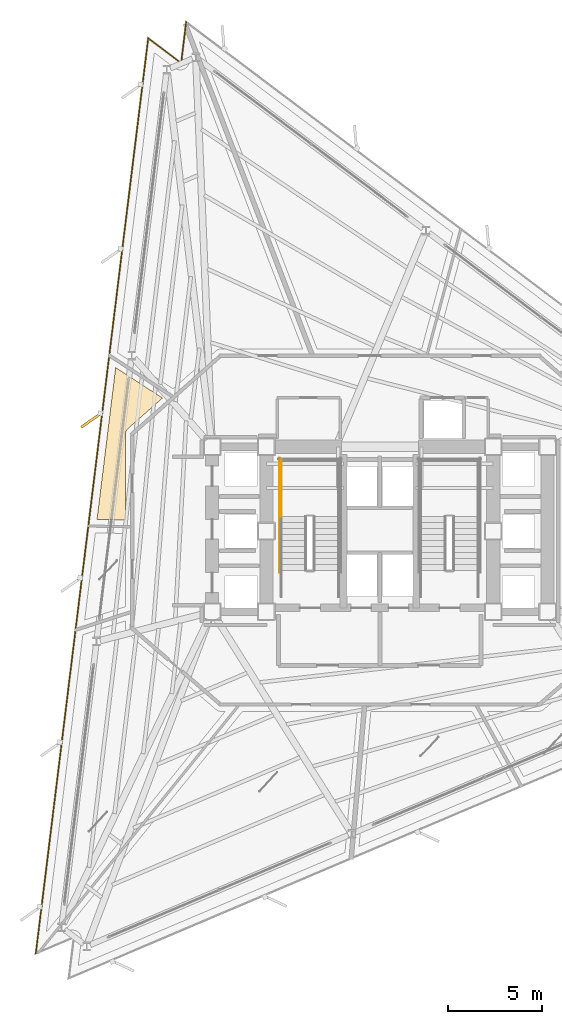
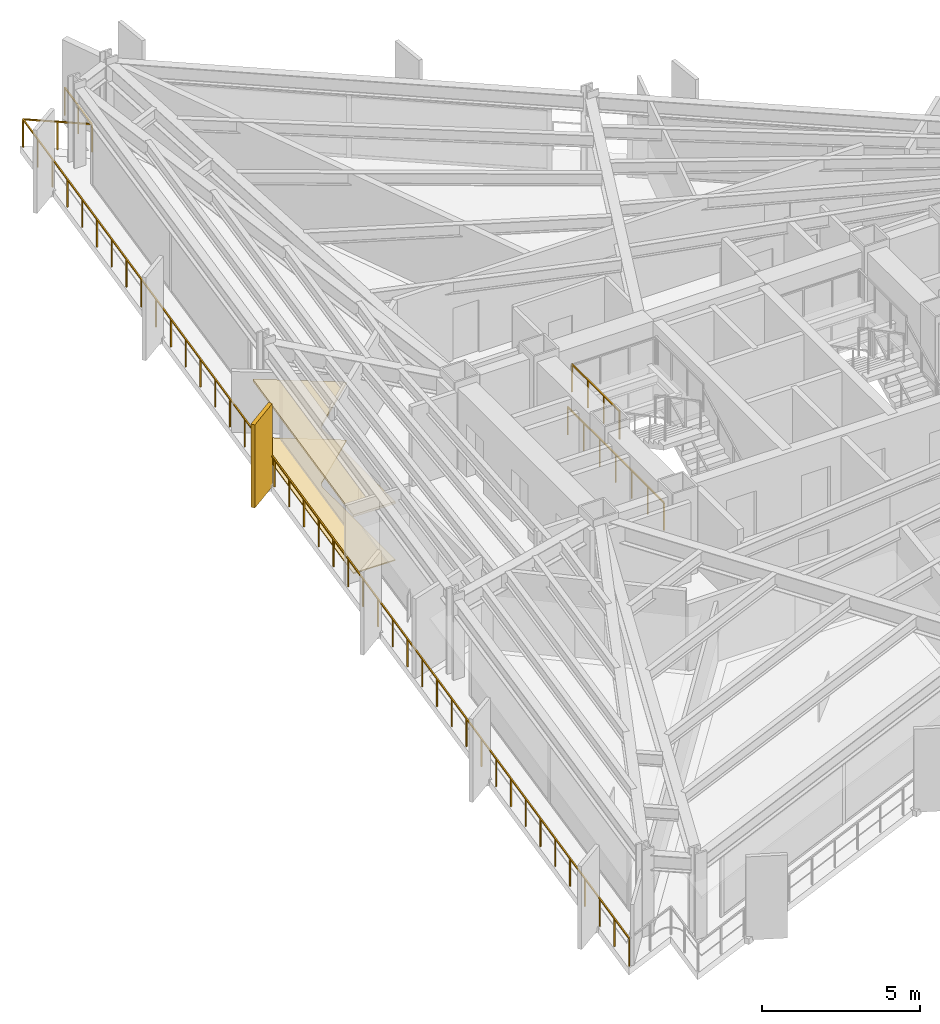
# One storey, part 11 of 13: 3 railings, 2 coverings, 1 shading device.
"""IFC4 building model written with IfcOpenShell, lengths in metres."""

from ifc_helpers import new_model, si_unit, direction, frame, origin, origin_2d, place, context, subcontext, project, spatial, polyline, rectangle, outline, extrude, material, layer, layer_set, type_object, element, save


model = new_model("IFC4")

# Units and contexts
model_context = context("Model", 3, precision=1e-05, world=origin(), true_north=direction((0.0, 1.0)))
body_context = subcontext(model_context, "Body", "Model", "MODEL_VIEW")
ifc_project = project(units=[si_unit("LENGTHUNIT", "METRE"), si_unit("AREAUNIT", "SQUARE_METRE"), si_unit("VOLUMEUNIT", "CUBIC_METRE"), si_unit("PLANEANGLEUNIT", "RADIAN"), si_unit("MASSUNIT", "GRAM", prefix="KILO")], contexts=[model_context])

# Site, building, storey
site_placement = place(None, origin())
site = spatial("IfcSite", under=ifc_project, at=site_placement, CompositionType="ELEMENT")
building_placement = place(site_placement, origin())
building = spatial("IfcBuilding", under=site, at=building_placement, Name="Rocaltana Carrier Exchange", CompositionType="ELEMENT")
storey_placement = place(building_placement, frame((0.0, 0.0, 66.39990234375)))
storey = spatial("IfcBuildingStorey", under=building, at=storey_placement, Name="L20", CompositionType="ELEMENT", Elevation=66.39990234375)

# Coverings
ifc_material_1 = material(Name="Honed Bogota Sandstone Tile", Category="masonry")
ifc_layer_1 = layer(ifc_material_1, 0.0400390625)
ifc_layer_set_1 = layer_set([ifc_layer_1], Name="Honed Bogota Sandstone Tile")
covering_type_1 = type_object("IfcCoveringType", Name="Honed Stone Lobby Flooring 40", PredefinedType="FLOORING", material=ifc_layer_set_1)
covering_1_placement = place(storey_placement, origin())
element("IfcCovering", 1, at=covering_1_placement, inside=storey, type_object=covering_type_1, Name="L20 Client Reception Foyer Finish Floor", PredefinedType="FLOORING", context=body_context, shape_type="SweptSolid", body=[
    extrude(outline(polyline([(-14.0927734375, 8.72265625), (-11.593017578125, 7.099365234375), (-13.438232421875, 5.469970703125), (-13.447998046875, 5.4609375), (-13.453369140625, 5.455810546875), (-13.471435546875, 5.436279296875), (-13.476318359375, 5.4306640625), (-13.492431640625, 5.409912109375), (-13.49658203125, 5.40380859375), (-13.5107421875, 5.38134765625), (-13.5146484375, 5.375), (-13.526611328125, 5.351318359375), (-13.529541015625, 5.344482421875), (-13.539306640625, 5.320068359375), (-13.541748046875, 5.31298828125), (-13.549072265625, 5.28759765625), (-13.55078125, 5.2802734375), (-13.555908203125, 5.25439453125), (-13.556884765625, 5.246826171875), (-13.559326171875, 5.220703125), (-13.559814453125, 5.213134765625), (-13.56005859375, 5.199951171875), (-13.56005859375, 0.5966796875), (-15.087158203125, 0.623291015625), (-14.0927734375, 8.72265625)])), origin(), (0.0, 0.0, 1.0), 0.0400390625),
])
ifc_material_2 = material(Name="Anodised Aluminium 6063-T6", Category="aluminium")
ifc_layer_2 = layer(ifc_material_2, 0.0849609375)
ifc_layer_set_2 = layer_set([ifc_layer_2], Name="Anodised Aluminium 6063-T6")
covering_type_2 = type_object("IfcCoveringType", Name="Linear Baffle Acoustic Ceiling 85", PredefinedType="CEILING", material=ifc_layer_set_2)
covering_2_placement = place(storey_placement, frame((0.0, 0.0, 2.203125)))
element("IfcCovering", 2, at=covering_2_placement, inside=storey, type_object=covering_type_2, Name="L20 Client Reception Foyer Acoustic Ceiling", PredefinedType="CEILING", context=body_context, shape_type="SweptSolid", body=[
    extrude(outline(polyline([(-14.0927734375, 8.72265625), (-11.593017578125, 7.099365234375), (-13.438232421875, 5.469970703125), (-13.447998046875, 5.4609375), (-13.453369140625, 5.455810546875), (-13.471435546875, 5.436279296875), (-13.476318359375, 5.4306640625), (-13.492431640625, 5.409912109375), (-13.49658203125, 5.40380859375), (-13.5107421875, 5.38134765625), (-13.5146484375, 5.375), (-13.526611328125, 5.351318359375), (-13.529541015625, 5.344482421875), (-13.539306640625, 5.320068359375), (-13.541748046875, 5.31298828125), (-13.549072265625, 5.28759765625), (-13.55078125, 5.2802734375), (-13.555908203125, 5.25439453125), (-13.556884765625, 5.246826171875), (-13.559326171875, 5.220703125), (-13.559814453125, 5.213134765625), (-13.56005859375, 5.199951171875), (-13.56005859375, 0.5966796875), (-15.087158203125, 0.623291015625), (-14.0927734375, 8.72265625)])), origin(), (0.0, 0.0, 1.0), 0.0849609375),
])

# Railings
ifc_material_3 = material(Name="Powder-Coated Aluminium 6063-T6", Category="aluminium")
ifc_layer_3 = layer(ifc_material_3, 0.048095703125)
ifc_layer_set_3 = layer_set([ifc_layer_3], Name="Powder-Coated Aluminium 6063-T6")
railing_type_1 = type_object("IfcRailingType", Name="Stair Well Guardrail 1100", PredefinedType="GUARDRAIL", material=ifc_layer_set_3)
railing_1_placement = place(storey_placement, frame((-5.25, 0.780029296875, 1.68017578125)))
element("IfcRailing", 3, at=railing_1_placement, inside=storey, type_object=railing_type_1, Name="L20 ST-1 stair guard 4", PredefinedType="GUARDRAIL", context=body_context, shape_type="SweptSolid", body=[
    extrude(rectangle(XDim=0.048095703125, YDim=0.048095703125, at=origin_2d()), frame((0.0, 0.0, 1.076171875), z_axis=(0.0, 1.0, 0.0), x_axis=(-1.0, 0.0, 0.0)), (0.0, 0.0, 1.0), 3.02001953125),
    extrude(rectangle(XDim=0.0419921875, YDim=0.0419921875, at=origin_2d()), origin(), (0.0, 0.0, 1.0), 1.052001953125),
    extrude(rectangle(XDim=0.0419921875, YDim=0.0419921875, at=origin_2d()), frame((0.0, 1.006591796875, 0.0)), (0.0, 0.0, 1.0), 1.052001953125),
    extrude(rectangle(XDim=0.0419921875, YDim=0.0419921875, at=origin_2d()), frame((0.0, 2.013427734375, 0.0)), (0.0, 0.0, 1.0), 1.052001953125),
    extrude(rectangle(XDim=0.0419921875, YDim=0.0419921875, at=origin_2d()), frame((0.0, 3.02001953125, 0.0)), (0.0, 0.0, 1.0), 1.052001953125),
])
railing_2_placement = place(storey_placement, frame((-5.35009765625, -2.199951171875, 0.0)))
element("IfcRailing", 4, at=railing_2_placement, inside=storey, type_object=railing_type_1, Name="L20 ST-1 stair guard 11", PredefinedType="GUARDRAIL", context=body_context, shape_type="SweptSolid", body=[
    extrude(rectangle(XDim=0.048095703125, YDim=0.048095703125, at=origin_2d()), frame((0.0, 0.0, 1.076171875), z_axis=(0.0, 1.0, 0.0), x_axis=(-1.0, 0.0, 0.0)), (0.0, 0.0, 1.0), 6.099853515625),
    extrude(rectangle(XDim=0.0419921875, YDim=0.0419921875, at=origin_2d()), origin(), (0.0, 0.0, 1.0), 1.052001953125),
    extrude(rectangle(XDim=0.0419921875, YDim=0.0419921875, at=origin_2d()), frame((0.0, 1.0166015625, 0.0)), (0.0, 0.0, 1.0), 1.052001953125),
    extrude(rectangle(XDim=0.0419921875, YDim=0.0419921875, at=origin_2d()), frame((0.0, 2.033203125, 0.0)), (0.0, 0.0, 1.0), 1.052001953125),
    extrude(rectangle(XDim=0.0419921875, YDim=0.0419921875, at=origin_2d()), frame((0.0, 3.0498046875, 0.0)), (0.0, 0.0, 1.0), 1.052001953125),
    extrude(rectangle(XDim=0.0419921875, YDim=0.0419921875, at=origin_2d()), frame((0.0, 4.066650390625, 0.0)), (0.0, 0.0, 1.0), 1.052001953125),
    extrude(rectangle(XDim=0.0419921875, YDim=0.0419921875, at=origin_2d()), frame((0.0, 5.083251953125, 0.0)), (0.0, 0.0, 1.0), 1.052001953125),
    extrude(rectangle(XDim=0.0419921875, YDim=0.0419921875, at=origin_2d()), frame((0.0, 6.099853515625, 0.0)), (0.0, 0.0, 1.0), 1.052001953125),
])

# Shading device
ifc_material_4 = material(Name="Honed Bogota Sandstone & Concrete C45/55", Category="masonry")
ifc_layer_4 = layer(ifc_material_4, 0.139892578125)
ifc_layer_set_4 = layer_set([ifc_layer_4], Name="Honed Bogota Sandstone & Concrete C45/55")
shading_device_type = type_object("IfcShadingDeviceType", Name="Vertical Sandstone Shading Fin 1320x140", PredefinedType="USERDEFINED", material=ifc_layer_set_4)
shading_device_placement = place(storey_placement, frame((-15.38427734375, 5.92431640625, -0.1201171875), z_axis=(0.0, 0.0, 1.0), x_axis=(-0.819152044289, -0.573576436351, 0.0)))
element("IfcShadingDevice", 5, at=shading_device_placement, inside=storey, type_object=shading_device_type, Name="L20 Sandstone Vertical Fin F2-03", ObjectType="FIN", PredefinedType="USERDEFINED", context=body_context, shape_type="SweptSolid", body=[
    extrude(rectangle(XDim=1.320068359375, YDim=0.139892578125, at=origin_2d()), origin(), (0.0, 0.0, 1.0), 3.218017578125),
])

# Railing
ifc_material_5 = material(Name="Powder-Coated Aluminium 6063-T6", Category="aluminium")
ifc_layer_5 = layer(ifc_material_5, 0.06005859375)
ifc_layer_set_5 = layer_set([ifc_layer_5], Name="Powder-Coated Aluminium 6063-T6")
railing_type_2 = type_object("IfcRailingType", Name="Wind-Floor & Terrace Perimeter Guardrail 1100", PredefinedType="GUARDRAIL", material=ifc_layer_set_5)
railing_3_placement = place(storey_placement, frame((-18.352783203125, -22.52734375, 0.0)))
element("IfcRailing", 6, at=railing_3_placement, inside=storey, type_object=railing_type_2, Name="L20 Perimeter Balcony Guardrail 2", PredefinedType="GUARDRAIL", context=body_context, shape_type="SweptSolid", body=[
    extrude(rectangle(XDim=0.048095703125, YDim=0.048095703125, at=origin_2d()), frame((0.0, 0.0, 1.076171875), z_axis=(0.12186659782, 0.992546488753, 0.0), x_axis=(-0.992546488753, 0.12186659782, 0.0)), (0.0, 0.0, 1.0), 49.192138671875),
    extrude(rectangle(XDim=0.048095703125, YDim=0.048095703125, at=origin_2d()), frame((5.994873046875, 48.825439453125, 1.076171875), z_axis=(0.798653030423, -0.601791772125, 0.0), x_axis=(0.601791772125, 0.798653030423, 0.0)), (0.0, 0.0, 1.0), 2.199951171875),
    extrude(rectangle(XDim=0.048095703125, YDim=0.048095703125, at=origin_2d()), frame((7.751953125, 47.50146484375, 1.076171875), z_axis=(0.121849105842, 0.992548636292, 0.0), x_axis=(-0.992548636292, 0.121849105842, 0.0)), (0.0, 0.0, 1.0), 2.199951171875),
    extrude(rectangle(XDim=0.0419921875, YDim=0.0419921875, at=origin_2d()), origin(), (0.0, 0.0, 1.0), 1.052001953125),
    extrude(rectangle(XDim=0.0419921875, YDim=0.0419921875, at=origin_2d()), frame((0.146240234375, 1.19091796875, 0.0)), (0.0, 0.0, 1.0), 1.052001953125),
    extrude(rectangle(XDim=0.0419921875, YDim=0.0419921875, at=origin_2d()), frame((0.29248046875, 2.3818359375, 0.0)), (0.0, 0.0, 1.0), 1.052001953125),
    extrude(rectangle(XDim=0.0419921875, YDim=0.0419921875, at=origin_2d()), frame((0.438720703125, 3.572509765625, 0.0)), (0.0, 0.0, 1.0), 1.052001953125),
    extrude(rectangle(XDim=0.0419921875, YDim=0.0419921875, at=origin_2d()), frame((0.5849609375, 4.763427734375, 0.0)), (0.0, 0.0, 1.0), 1.052001953125),
    extrude(rectangle(XDim=0.0419921875, YDim=0.0419921875, at=origin_2d()), frame((0.731201171875, 5.954345703125, 0.0)), (0.0, 0.0, 1.0), 1.052001953125),
    extrude(rectangle(XDim=0.0419921875, YDim=0.0419921875, at=origin_2d()), frame((0.877197265625, 7.145263671875, 0.0)), (0.0, 0.0, 1.0), 1.052001953125),
    extrude(rectangle(XDim=0.0419921875, YDim=0.0419921875, at=origin_2d()), frame((1.0234375, 8.3359375, 0.0)), (0.0, 0.0, 1.0), 1.052001953125),
    extrude(rectangle(XDim=0.0419921875, YDim=0.0419921875, at=origin_2d()), frame((1.169677734375, 9.52685546875, 0.0)), (0.0, 0.0, 1.0), 1.052001953125),
    extrude(rectangle(XDim=0.0419921875, YDim=0.0419921875, at=origin_2d()), frame((1.31591796875, 10.7177734375, 0.0)), (0.0, 0.0, 1.0), 1.052001953125),
    extrude(rectangle(XDim=0.0419921875, YDim=0.0419921875, at=origin_2d()), frame((1.462158203125, 11.90869140625, 0.0)), (0.0, 0.0, 1.0), 1.052001953125),
    extrude(rectangle(XDim=0.0419921875, YDim=0.0419921875, at=origin_2d()), frame((1.6083984375, 13.099609375, 0.0)), (0.0, 0.0, 1.0), 1.052001953125),
    extrude(rectangle(XDim=0.0419921875, YDim=0.0419921875, at=origin_2d()), frame((1.754638671875, 14.290283203125, 0.0)), (0.0, 0.0, 1.0), 1.052001953125),
    extrude(rectangle(XDim=0.0419921875, YDim=0.0419921875, at=origin_2d()), frame((1.90087890625, 15.481201171875, 0.0)), (0.0, 0.0, 1.0), 1.052001953125),
    extrude(rectangle(XDim=0.0419921875, YDim=0.0419921875, at=origin_2d()), frame((2.047119140625, 16.672119140625, 0.0)), (0.0, 0.0, 1.0), 1.052001953125),
    extrude(rectangle(XDim=0.0419921875, YDim=0.0419921875, at=origin_2d()), frame((2.193359375, 17.863037109375, 0.0)), (0.0, 0.0, 1.0), 1.052001953125),
    extrude(rectangle(XDim=0.0419921875, YDim=0.0419921875, at=origin_2d()), frame((2.33935546875, 19.0537109375, 0.0)), (0.0, 0.0, 1.0), 1.052001953125),
    extrude(rectangle(XDim=0.0419921875, YDim=0.0419921875, at=origin_2d()), frame((2.485595703125, 20.24462890625, 0.0)), (0.0, 0.0, 1.0), 1.052001953125),
    extrude(rectangle(XDim=0.0419921875, YDim=0.0419921875, at=origin_2d()), frame((2.6318359375, 21.435546875, 0.0)), (0.0, 0.0, 1.0), 1.052001953125),
    extrude(rectangle(XDim=0.0419921875, YDim=0.0419921875, at=origin_2d()), frame((2.778076171875, 22.62646484375, 0.0)), (0.0, 0.0, 1.0), 1.052001953125),
    extrude(rectangle(XDim=0.0419921875, YDim=0.0419921875, at=origin_2d()), frame((2.92431640625, 23.8173828125, 0.0)), (0.0, 0.0, 1.0), 1.052001953125),
    extrude(rectangle(XDim=0.0419921875, YDim=0.0419921875, at=origin_2d()), frame((3.070556640625, 25.008056640625, 0.0)), (0.0, 0.0, 1.0), 1.052001953125),
    extrude(rectangle(XDim=0.0419921875, YDim=0.0419921875, at=origin_2d()), frame((3.216796875, 26.198974609375, 0.0)), (0.0, 0.0, 1.0), 1.052001953125),
    extrude(rectangle(XDim=0.0419921875, YDim=0.0419921875, at=origin_2d()), frame((3.363037109375, 27.389892578125, 0.0)), (0.0, 0.0, 1.0), 1.052001953125),
    extrude(rectangle(XDim=0.0419921875, YDim=0.0419921875, at=origin_2d()), frame((3.50927734375, 28.580810546875, 0.0)), (0.0, 0.0, 1.0), 1.052001953125),
    extrude(rectangle(XDim=0.0419921875, YDim=0.0419921875, at=origin_2d()), frame((3.655517578125, 29.771728515625, 0.0)), (0.0, 0.0, 1.0), 1.052001953125),
    extrude(rectangle(XDim=0.0419921875, YDim=0.0419921875, at=origin_2d()), frame((3.801513671875, 30.96240234375, 0.0)), (0.0, 0.0, 1.0), 1.052001953125),
    extrude(rectangle(XDim=0.0419921875, YDim=0.0419921875, at=origin_2d()), frame((3.94775390625, 32.1533203125, 0.0)), (0.0, 0.0, 1.0), 1.052001953125),
    extrude(rectangle(XDim=0.0419921875, YDim=0.0419921875, at=origin_2d()), frame((4.093994140625, 33.34423828125, 0.0)), (0.0, 0.0, 1.0), 1.052001953125),
    extrude(rectangle(XDim=0.0419921875, YDim=0.0419921875, at=origin_2d()), frame((4.240234375, 34.53515625, 0.0)), (0.0, 0.0, 1.0), 1.052001953125),
    extrude(rectangle(XDim=0.0419921875, YDim=0.0419921875, at=origin_2d()), frame((4.386474609375, 35.725830078125, 0.0)), (0.0, 0.0, 1.0), 1.052001953125),
    extrude(rectangle(XDim=0.0419921875, YDim=0.0419921875, at=origin_2d()), frame((4.53271484375, 36.916748046875, 0.0)), (0.0, 0.0, 1.0), 1.052001953125),
    extrude(rectangle(XDim=0.0419921875, YDim=0.0419921875, at=origin_2d()), frame((4.678955078125, 38.107666015625, 0.0)), (0.0, 0.0, 1.0), 1.052001953125),
    extrude(rectangle(XDim=0.0419921875, YDim=0.0419921875, at=origin_2d()), frame((4.8251953125, 39.298583984375, 0.0)), (0.0, 0.0, 1.0), 1.052001953125),
    extrude(rectangle(XDim=0.0419921875, YDim=0.0419921875, at=origin_2d()), frame((4.971435546875, 40.489501953125, 0.0)), (0.0, 0.0, 1.0), 1.052001953125),
    extrude(rectangle(XDim=0.0419921875, YDim=0.0419921875, at=origin_2d()), frame((5.11767578125, 41.68017578125, 0.0)), (0.0, 0.0, 1.0), 1.052001953125),
    extrude(rectangle(XDim=0.0419921875, YDim=0.0419921875, at=origin_2d()), frame((5.263671875, 42.87109375, 0.0)), (0.0, 0.0, 1.0), 1.052001953125),
    extrude(rectangle(XDim=0.0419921875, YDim=0.0419921875, at=origin_2d()), frame((5.409912109375, 44.06201171875, 0.0)), (0.0, 0.0, 1.0), 1.052001953125),
    extrude(rectangle(XDim=0.0419921875, YDim=0.0419921875, at=origin_2d()), frame((5.55615234375, 45.2529296875, 0.0)), (0.0, 0.0, 1.0), 1.052001953125),
    extrude(rectangle(XDim=0.0419921875, YDim=0.0419921875, at=origin_2d()), frame((5.702392578125, 46.443603515625, 0.0)), (0.0, 0.0, 1.0), 1.052001953125),
    extrude(rectangle(XDim=0.0419921875, YDim=0.0419921875, at=origin_2d()), frame((5.8486328125, 47.634521484375, 0.0)), (0.0, 0.0, 1.0), 1.052001953125),
    extrude(rectangle(XDim=0.0419921875, YDim=0.0419921875, at=origin_2d()), frame((5.994873046875, 48.825439453125, 0.0)), (0.0, 0.0, 1.0), 1.052001953125),
    extrude(rectangle(XDim=0.0419921875, YDim=0.0419921875, at=origin_2d()), frame((6.87353515625, 48.16357421875, 0.0)), (0.0, 0.0, 1.0), 1.052001953125),
    extrude(rectangle(XDim=0.0419921875, YDim=0.0419921875, at=origin_2d()), frame((7.751953125, 47.50146484375, 0.0)), (0.0, 0.0, 1.0), 1.052001953125),
    extrude(rectangle(XDim=0.0419921875, YDim=0.0419921875, at=origin_2d()), frame((7.885986328125, 48.59326171875, 0.0)), (0.0, 0.0, 1.0), 1.052001953125),
    extrude(rectangle(XDim=0.0419921875, YDim=0.0419921875, at=origin_2d()), frame((8.02001953125, 49.68505859375, 0.0)), (0.0, 0.0, 1.0), 1.052001953125),
])

save(model, "model.ifc")
